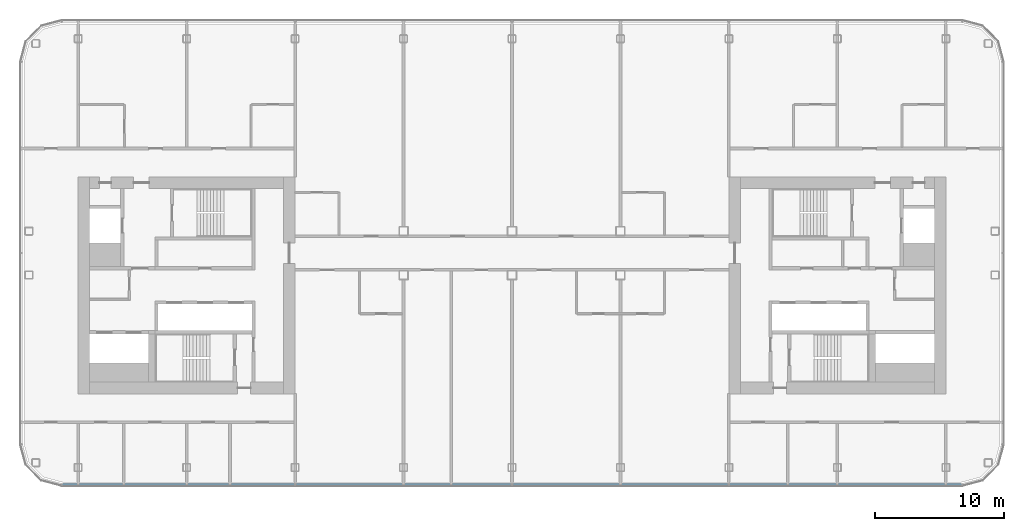
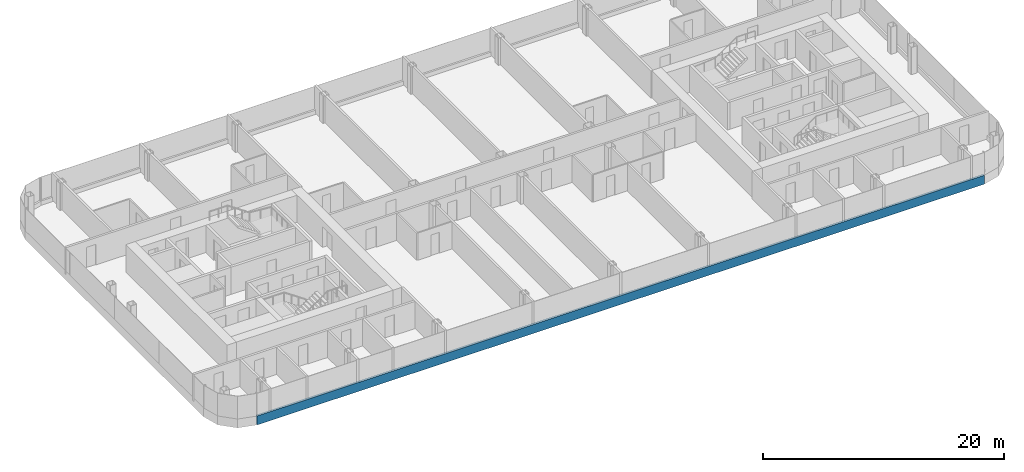
# One storey, part 4 of 25: 1 member, 1 element without a shape of its own.
"""IFC4 building model written with IfcOpenShell, lengths in metres."""

from ifc_helpers import new_model, si_unit, direction, frame, origin, origin_2d, place, context, subcontext, project, spatial, rectangle, extrude, material, layer, layer_set, material_profile, profile_set, type_object, element, aggregate, save


model = new_model("IFC4")

# Units and contexts
model_context = context("Model", 3, precision=1e-05, world=origin(), true_north=direction((0.0, 1.0)))
body_context = subcontext(model_context, "Body", "Model", "MODEL_VIEW")
ifc_project = project(units=[si_unit("LENGTHUNIT", "METRE"), si_unit("AREAUNIT", "SQUARE_METRE"), si_unit("VOLUMEUNIT", "CUBIC_METRE"), si_unit("PLANEANGLEUNIT", "RADIAN"), si_unit("MASSUNIT", "GRAM", prefix="KILO")], contexts=[model_context])

# Site, building, storey
site_placement = place(None, origin())
site = spatial("IfcSite", under=ifc_project, at=site_placement, CompositionType="ELEMENT")
building_placement = place(site_placement, origin())
building = spatial("IfcBuilding", under=site, at=building_placement, Name="Hakoniwa Tower and Hamabe Station Hall", CompositionType="ELEMENT")
storey_placement = place(building_placement, frame((0.0, 0.0, 202.60009765625)))
storey = spatial("IfcBuildingStorey", under=building, at=storey_placement, Name="L57", CompositionType="ELEMENT", Elevation=202.60009765625)

# Curtain wall, member
ifc_material_1 = material(Name="Dark low-e laminated glass", Category="glass")
ifc_layer = layer(ifc_material_1, 0.199951171875)
ifc_layer_set = layer_set([ifc_layer], Name="CW-1 UNITISED GUEST")
curtain_wall_type = type_object("IfcCurtainWallType", Name="CW-1 UNITISED GUEST", PredefinedType="NOTDEFINED", material=ifc_layer_set)
curtain_wall_placement = place(storey_placement, origin())
curtain_wall = element("IfcCurtainWall", 1, at=curtain_wall_placement, inside=storey, type_object=curtain_wall_type, Name="CW-1 curtain wall", PredefinedType="NOTDEFINED")
ifc_material_2 = material(Name="Aluminium 6063-T5 black anodised", Category="aluminium")
ifc_material_profile = material_profile(ifc_material_2, rectangle(XDim=0.199951171875, YDim=0.89990234375, at=origin_2d()), Name="CW SLAB-EDGE BAND 900X200")
ifc_profile_set = profile_set([ifc_material_profile], Name="Aluminium 6063-T5 black anodised")
member_type = type_object("IfcMemberType", Name="CW SLAB-EDGE BAND 900X200", PredefinedType="USERDEFINED", material=ifc_profile_set)
member_placement = place(storey_placement, frame((-34.839599609375, -15.449951171875, -0.10009765625), z_axis=(1.0, 0.0, 0.0), x_axis=(0.0, 1.0, 0.0)))
member = element("IfcMember", 2, at=member_placement, type_object=member_type, Name="CW-1 transom", ObjectType="TRANSOM", PredefinedType="USERDEFINED", context=body_context, shape_type="SweptSolid", body=[
    extrude(rectangle(XDim=0.199951171875, YDim=0.89990234375, at=origin_2d()), origin(), (0.0, 0.0, 1.0), 69.67919921875),
])
aggregate(curtain_wall, [member])

save(model, "model.ifc")
